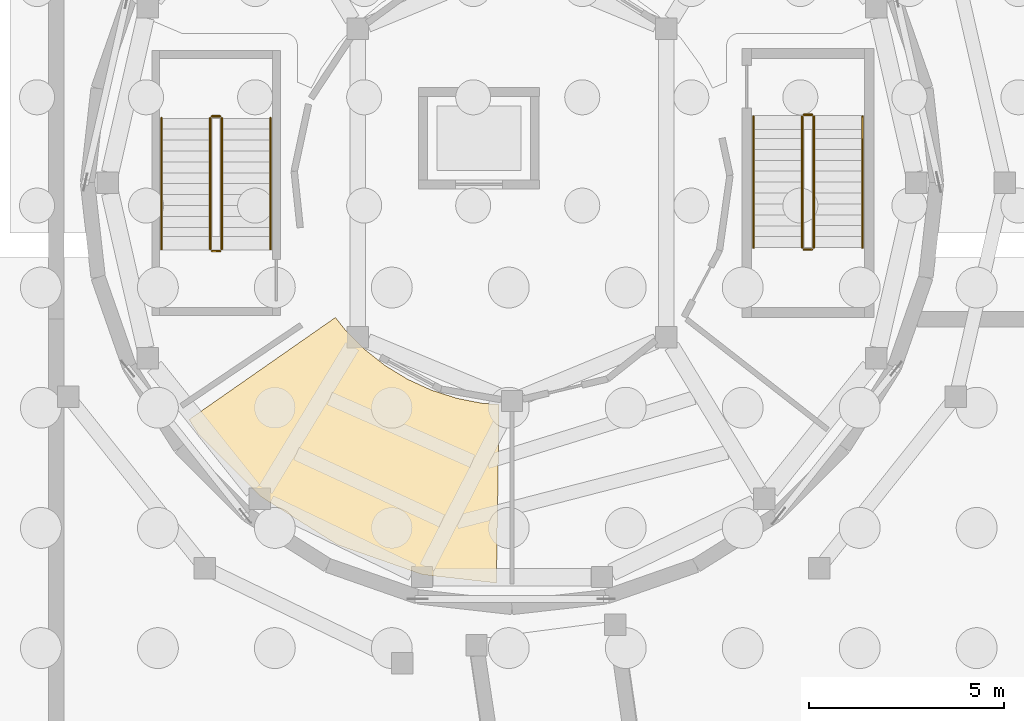
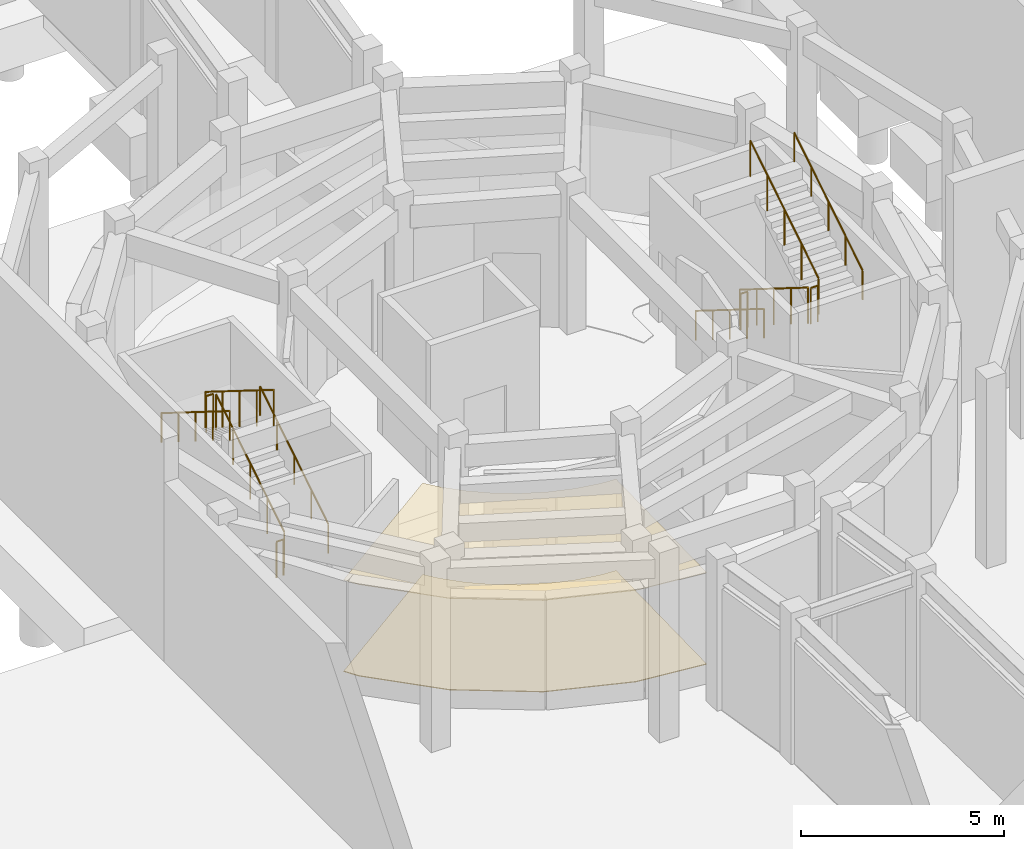
# One storey, part 51 of 57: 12 railings, 2 coverings.
"""IFC4 building model written with IfcOpenShell, lengths in metres."""

from ifc_helpers import new_model, si_unit, direction, frame, origin, origin_2d, place, context, subcontext, project, spatial, polyline, circle, outline, extrude, material, layer, layer_set, type_object, element, save


model = new_model("IFC4")

# Units and contexts
model_context = context("Model", 3, precision=1e-05, world=origin(), true_north=direction((0.0, 1.0)))
body_context = subcontext(model_context, "Body", "Model", "MODEL_VIEW")
ifc_project = project(units=[si_unit("LENGTHUNIT", "METRE"), si_unit("AREAUNIT", "SQUARE_METRE"), si_unit("VOLUMEUNIT", "CUBIC_METRE"), si_unit("PLANEANGLEUNIT", "RADIAN"), si_unit("MASSUNIT", "GRAM", prefix="KILO")], contexts=[model_context])

# Site, building, storey
site_placement = place(None, origin())
site = spatial("IfcSite", under=ifc_project, at=site_placement, CompositionType="ELEMENT")
building_placement = place(site_placement, origin())
building = spatial("IfcBuilding", under=site, at=building_placement, Name="Aldenvaro Health Centre", CompositionType="ELEMENT")
storey_placement = place(building_placement, frame((0.0, 0.0, -4.550048828125)))
storey = spatial("IfcBuildingStorey", under=building, at=storey_placement, Name="B1", CompositionType="ELEMENT", Elevation=-4.550048828125)

# Coverings
ifc_material_1 = material(Name="Antimicrobial Mineral Fibre Ceiling")
ifc_layer_1 = layer(ifc_material_1, 0.01806640625, Name="Antimicrobial Mineral Fibre Ceiling")
ifc_layer_set_1 = layer_set([ifc_layer_1], Name="Antimicrobial Mineral Fibre Ceiling")
covering_type_1 = type_object("IfcCoveringType", Name="COV-CLG-ACT18", PredefinedType="CEILING", material=ifc_layer_set_1)
covering_1_placement = place(storey_placement, frame((0.0, 0.0, 2.75)))
element("IfcCovering", 1, at=covering_1_placement, inside=storey, type_object=covering_type_1, Name="D3-B1-R04 Suspended Ceiling", PredefinedType="CEILING", context=body_context, shape_type="SweptSolid", body=[
    extrude(outline(polyline([(19.22607421875, 53.714111328125), (19.2451171875, 53.693115234375), (19.701904296875, 53.236083984375), (19.72412109375, 53.218017578125), (20.23193359375, 52.818115234375), (20.2548828125, 52.802001953125), (20.806884765625, 52.465087890625), (20.83203125, 52.451904296875), (21.419921875, 52.18310546875), (21.446044921875, 52.173095703125), (22.06201171875, 51.97509765625), (22.089111328125, 51.967041015625), (22.722900390625, 51.843017578125), (22.751953125, 51.840087890625), (23.1708984375, 51.80810546875), (23.09912109375, 47.22705078125), (21.2041015625, 47.44091796875), (19.02294921875, 48.2041015625), (17.06689453125, 49.43310546875), (15.43310546875, 51.06689453125), (15.208984375, 51.423095703125), (18.966064453125, 54.0439453125), (19.22607421875, 53.714111328125)])), origin(), (0.0, 0.0, 1.0), 0.01806640625),
])
ifc_material_2 = material(Name="Polished Epoxy Terrazzo Flooring")
ifc_layer_2 = layer(ifc_material_2, 0.02197265625, Name="Polished Epoxy Terrazzo Flooring")
ifc_layer_set_2 = layer_set([ifc_layer_2], Name="Polished Epoxy Terrazzo Flooring")
covering_type_2 = type_object("IfcCoveringType", Name="COV-FLR-TER22", PredefinedType="FLOORING", material=ifc_layer_set_2)
covering_2_placement = place(storey_placement, origin())
element("IfcCovering", 2, at=covering_2_placement, inside=storey, type_object=covering_type_2, Name="D3-B1-R04 Flooring", PredefinedType="FLOORING", context=body_context, shape_type="SweptSolid", body=[
    extrude(outline(polyline([(19.22607421875, 53.714111328125), (19.2451171875, 53.693115234375), (19.701904296875, 53.236083984375), (19.72412109375, 53.218017578125), (20.23193359375, 52.818115234375), (20.2548828125, 52.802001953125), (20.806884765625, 52.465087890625), (20.83203125, 52.451904296875), (21.419921875, 52.18310546875), (21.446044921875, 52.173095703125), (22.06201171875, 51.97509765625), (22.089111328125, 51.967041015625), (22.722900390625, 51.843017578125), (22.751953125, 51.840087890625), (23.1708984375, 51.80810546875), (23.09912109375, 47.22705078125), (21.2041015625, 47.44091796875), (19.02294921875, 48.2041015625), (17.06689453125, 49.43310546875), (15.43310546875, 51.06689453125), (15.208984375, 51.423095703125), (18.966064453125, 54.0439453125), (19.22607421875, 53.714111328125)])), origin(), (0.0, 0.0, 1.0), 0.02197265625),
])

# Railings
ifc_material_3 = material(Name="Painted Architectural Steel", Category="steel")
railing_type_1 = type_object("IfcRailingType", Name="RL-BAL-INT", PredefinedType="BALUSTRADE", material=ifc_material_3)
railing_1_placement = place(storey_placement, frame((30.949951171875, 59.199951171875, 0.175048828125)))
element("IfcRailing", 3, at=railing_1_placement, inside=storey, type_object=railing_type_1, Name="B1 ST-05 stair guard 1", PredefinedType="BALUSTRADE", context=body_context, shape_type="SweptSolid", body=[
    extrude(circle(Radius=0.02392578125, at=origin_2d()), frame((0.0, 0.0, 1.076171875), z_axis=(0.0, -0.847977533471, 0.530032171408), x_axis=(1.0, 0.0, 0.0)), (0.0, 0.0, 1.0), 3.962158203125),
    extrude(circle(Radius=0.02099609375, at=origin_2d()), origin(), (0.0, 0.0, 1.0), 1.052001953125),
    extrude(circle(Radius=0.02099609375, at=origin_2d()), frame((0.0, -0.83984375, 0.52490234375)), (0.0, 0.0, 1.0), 1.052001953125),
    extrude(circle(Radius=0.02099609375, at=origin_2d()), frame((0.0, -1.679931640625, 1.050048828125)), (0.0, 0.0, 1.0), 1.052001953125),
    extrude(circle(Radius=0.02099609375, at=origin_2d()), frame((0.0, -2.52001953125, 1.5751953125)), (0.0, 0.0, 1.0), 1.052001953125),
    extrude(circle(Radius=0.02099609375, at=origin_2d()), frame((0.0, -3.35986328125, 2.10009765625)), (0.0, 0.0, 1.0), 1.052001953125),
])
railing_2_placement = place(storey_placement, frame((31.0, 55.7900390625, 2.275146484375)))
element("IfcRailing", 4, at=railing_2_placement, inside=storey, type_object=railing_type_1, Name="B1 ST-05 stair guard 2", PredefinedType="BALUSTRADE", context=body_context, shape_type="SweptSolid", body=[
    extrude(circle(Radius=0.02392578125, at=origin_2d()), frame((0.0, 0.0, 1.076171875), z_axis=(1.0, 0.0, 0.0), x_axis=(0.0, 1.0, 0.0)), (0.0, 0.0, 1.0), 0.199951171875),
    extrude(circle(Radius=0.02099609375, at=origin_2d()), origin(), (0.0, 0.0, 1.0), 1.052001953125),
    extrude(circle(Radius=0.02099609375, at=origin_2d()), frame((0.199951171875, 0.0, 0.0)), (0.0, 0.0, 1.0), 1.052001953125),
])
railing_3_placement = place(storey_placement, frame((31.25, 55.840087890625, 2.449951171875)))
element("IfcRailing", 5, at=railing_3_placement, inside=storey, type_object=railing_type_1, Name="B1 ST-05 stair guard 3", PredefinedType="BALUSTRADE", context=body_context, shape_type="SweptSolid", body=[
    extrude(circle(Radius=0.02392578125, at=origin_2d()), frame((0.0, 0.0, 1.076171875), z_axis=(0.0, 0.847977533471, 0.530032171408), x_axis=(-1.0, 0.0, 0.0)), (0.0, 0.0, 1.0), 3.962158203125),
    extrude(circle(Radius=0.02099609375, at=origin_2d()), origin(), (0.0, 0.0, 1.0), 1.052001953125),
    extrude(circle(Radius=0.02099609375, at=origin_2d()), frame((0.0, 0.83984375, 0.52490234375)), (0.0, 0.0, 1.0), 1.052001953125),
    extrude(circle(Radius=0.02099609375, at=origin_2d()), frame((0.0, 1.679931640625, 1.050048828125)), (0.0, 0.0, 1.0), 1.052001953125),
    extrude(circle(Radius=0.02099609375, at=origin_2d()), frame((0.0, 2.52001953125, 1.5751953125)), (0.0, 0.0, 1.0), 1.052001953125),
    extrude(circle(Radius=0.02099609375, at=origin_2d()), frame((0.0, 3.35986328125, 2.10009765625)), (0.0, 0.0, 1.0), 1.052001953125),
])
railing_4_placement = place(storey_placement, frame((31.0, 59.25, 0.0)))
element("IfcRailing", 6, at=railing_4_placement, inside=storey, type_object=railing_type_1, Name="B1 ST-05 stair guard 4", PredefinedType="BALUSTRADE", context=body_context, shape_type="SweptSolid", body=[
    extrude(circle(Radius=0.02392578125, at=origin_2d()), frame((0.0, 0.0, 1.076171875), z_axis=(1.0, 0.0, 0.0), x_axis=(0.0, 1.0, 0.0)), (0.0, 0.0, 1.0), 0.199951171875),
    extrude(circle(Radius=0.02099609375, at=origin_2d()), origin(), (0.0, 0.0, 1.0), 1.052001953125),
    extrude(circle(Radius=0.02099609375, at=origin_2d()), frame((0.199951171875, 0.0, 0.0)), (0.0, 0.0, 1.0), 1.052001953125),
])
railing_5_placement = place(storey_placement, frame((16.050048828125, 55.800048828125, 0.175048828125)))
element("IfcRailing", 7, at=railing_5_placement, inside=storey, type_object=railing_type_1, Name="B1 ST-06 stair guard 1", PredefinedType="BALUSTRADE", context=body_context, shape_type="SweptSolid", body=[
    extrude(circle(Radius=0.02392578125, at=origin_2d()), frame((0.0, 0.0, 1.076171875), z_axis=(0.0, 0.847977533471, 0.530032171408), x_axis=(-1.0, 0.0, 0.0)), (0.0, 0.0, 1.0), 3.962158203125),
    extrude(circle(Radius=0.02099609375, at=origin_2d()), origin(), (0.0, 0.0, 1.0), 1.052001953125),
    extrude(circle(Radius=0.02099609375, at=origin_2d()), frame((0.0, 0.83984375, 0.52490234375)), (0.0, 0.0, 1.0), 1.052001953125),
    extrude(circle(Radius=0.02099609375, at=origin_2d()), frame((0.0, 1.679931640625, 1.050048828125)), (0.0, 0.0, 1.0), 1.052001953125),
    extrude(circle(Radius=0.02099609375, at=origin_2d()), frame((0.0, 2.52001953125, 1.5751953125)), (0.0, 0.0, 1.0), 1.052001953125),
    extrude(circle(Radius=0.02099609375, at=origin_2d()), frame((0.0, 3.35986328125, 2.10009765625)), (0.0, 0.0, 1.0), 1.052001953125),
])
railing_6_placement = place(storey_placement, frame((16.0, 59.2099609375, 2.275146484375)))
element("IfcRailing", 8, at=railing_6_placement, inside=storey, type_object=railing_type_1, Name="B1 ST-06 stair guard 2", PredefinedType="BALUSTRADE", context=body_context, shape_type="SweptSolid", body=[
    extrude(circle(Radius=0.02392578125, at=origin_2d()), frame((0.0, 0.0, 1.076171875), z_axis=(-1.0, 0.0, 0.0), x_axis=(0.0, -1.0, 0.0)), (0.0, 0.0, 1.0), 0.199951171875),
    extrude(circle(Radius=0.02099609375, at=origin_2d()), origin(), (0.0, 0.0, 1.0), 1.052001953125),
    extrude(circle(Radius=0.02099609375, at=origin_2d()), frame((-0.199951171875, 0.0, 0.0)), (0.0, 0.0, 1.0), 1.052001953125),
])
railing_7_placement = place(storey_placement, frame((15.75, 59.159912109375, 2.449951171875)))
element("IfcRailing", 9, at=railing_7_placement, inside=storey, type_object=railing_type_1, Name="B1 ST-06 stair guard 3", PredefinedType="BALUSTRADE", context=body_context, shape_type="SweptSolid", body=[
    extrude(circle(Radius=0.02392578125, at=origin_2d()), frame((0.0, 0.0, 1.076171875), z_axis=(0.0, -0.847977533471, 0.530032171408), x_axis=(1.0, 0.0, 0.0)), (0.0, 0.0, 1.0), 3.962158203125),
    extrude(circle(Radius=0.02099609375, at=origin_2d()), origin(), (0.0, 0.0, 1.0), 1.052001953125),
    extrude(circle(Radius=0.02099609375, at=origin_2d()), frame((0.0, -0.83984375, 0.52490234375)), (0.0, 0.0, 1.0), 1.052001953125),
    extrude(circle(Radius=0.02099609375, at=origin_2d()), frame((0.0, -1.679931640625, 1.050048828125)), (0.0, 0.0, 1.0), 1.052001953125),
    extrude(circle(Radius=0.02099609375, at=origin_2d()), frame((0.0, -2.52001953125, 1.5751953125)), (0.0, 0.0, 1.0), 1.052001953125),
    extrude(circle(Radius=0.02099609375, at=origin_2d()), frame((0.0, -3.35986328125, 2.10009765625)), (0.0, 0.0, 1.0), 1.052001953125),
])
railing_8_placement = place(storey_placement, frame((16.0, 55.75, 0.0)))
element("IfcRailing", 10, at=railing_8_placement, inside=storey, type_object=railing_type_1, Name="B1 ST-06 stair guard 4", PredefinedType="BALUSTRADE", context=body_context, shape_type="SweptSolid", body=[
    extrude(circle(Radius=0.02392578125, at=origin_2d()), frame((0.0, 0.0, 1.076171875), z_axis=(-1.0, 0.0, 0.0), x_axis=(0.0, -1.0, 0.0)), (0.0, 0.0, 1.0), 0.199951171875),
    extrude(circle(Radius=0.02099609375, at=origin_2d()), origin(), (0.0, 0.0, 1.0), 1.052001953125),
    extrude(circle(Radius=0.02099609375, at=origin_2d()), frame((-0.199951171875, 0.0, 0.0)), (0.0, 0.0, 1.0), 1.052001953125),
])
railing_type_2 = type_object("IfcRailingType", Name="RL-HND-INT", PredefinedType="HANDRAIL", material=ifc_material_3)
railing_9_placement = place(storey_placement, frame((29.699951171875, 59.199951171875, 0.175048828125)))
element("IfcRailing", 11, at=railing_9_placement, inside=storey, type_object=railing_type_2, Name="B1 ST-05 stair handrail 1", PredefinedType="HANDRAIL", context=body_context, shape_type="SweptSolid", body=[
    extrude(circle(Radius=0.02392578125, at=origin_2d()), frame((0.0, 0.0, 0.8759765625), z_axis=(0.0, -0.847977533471, 0.530032171408), x_axis=(1.0, 0.0, 0.0)), (0.0, 0.0, 1.0), 3.962158203125),
    extrude(circle(Radius=0.02099609375, at=origin_2d()), origin(), (0.0, 0.0, 1.0), 0.851806640625),
    extrude(circle(Radius=0.02099609375, at=origin_2d()), frame((0.0, -0.83984375, 0.52490234375)), (0.0, 0.0, 1.0), 0.851806640625),
    extrude(circle(Radius=0.02099609375, at=origin_2d()), frame((0.0, -1.679931640625, 1.050048828125)), (0.0, 0.0, 1.0), 0.851806640625),
    extrude(circle(Radius=0.02099609375, at=origin_2d()), frame((0.0, -2.52001953125, 1.5751953125)), (0.0, 0.0, 1.0), 0.851806640625),
    extrude(circle(Radius=0.02099609375, at=origin_2d()), frame((0.0, -3.35986328125, 2.10009765625)), (0.0, 0.0, 1.0), 0.851806640625),
])
for number, where, name in (
    (12, (32.5, 55.840087890625, 2.449951171875), "B1 ST-05 stair handrail 2"),
    (13, (17.300048828125, 55.800048828125, 0.175048828125), "B1 ST-06 stair handrail 1"),
):
    element("IfcRailing", number, at=place(storey_placement, frame(where)), inside=storey, type_object=railing_type_2, Name=name, PredefinedType="HANDRAIL", context=body_context, shape_type="SweptSolid", body=[
        extrude(circle(Radius=0.02392578125, at=origin_2d()), frame((0.0, 0.0, 0.8759765625), z_axis=(0.0, 0.847977533471, 0.530032171408), x_axis=(-1.0, 0.0, 0.0)), (0.0, 0.0, 1.0), 3.962158203125),
        extrude(circle(Radius=0.02099609375, at=origin_2d()), origin(), (0.0, 0.0, 1.0), 0.851806640625),
        extrude(circle(Radius=0.02099609375, at=origin_2d()), frame((0.0, 0.83984375, 0.52490234375)), (0.0, 0.0, 1.0), 0.851806640625),
        extrude(circle(Radius=0.02099609375, at=origin_2d()), frame((0.0, 1.679931640625, 1.050048828125)), (0.0, 0.0, 1.0), 0.851806640625),
        extrude(circle(Radius=0.02099609375, at=origin_2d()), frame((0.0, 2.52001953125, 1.5751953125)), (0.0, 0.0, 1.0), 0.851806640625),
        extrude(circle(Radius=0.02099609375, at=origin_2d()), frame((0.0, 3.35986328125, 2.10009765625)), (0.0, 0.0, 1.0), 0.851806640625),
    ])
railing_10_placement = place(storey_placement, frame((14.5, 59.159912109375, 2.449951171875)))
element("IfcRailing", 14, at=railing_10_placement, inside=storey, type_object=railing_type_2, Name="B1 ST-06 stair handrail 2", PredefinedType="HANDRAIL", context=body_context, shape_type="SweptSolid", body=[
    extrude(circle(Radius=0.02392578125, at=origin_2d()), frame((0.0, 0.0, 0.8759765625), z_axis=(0.0, -0.847977533471, 0.530032171408), x_axis=(1.0, 0.0, 0.0)), (0.0, 0.0, 1.0), 3.962158203125),
    extrude(circle(Radius=0.02099609375, at=origin_2d()), origin(), (0.0, 0.0, 1.0), 0.851806640625),
    extrude(circle(Radius=0.02099609375, at=origin_2d()), frame((0.0, -0.83984375, 0.52490234375)), (0.0, 0.0, 1.0), 0.851806640625),
    extrude(circle(Radius=0.02099609375, at=origin_2d()), frame((0.0, -1.679931640625, 1.050048828125)), (0.0, 0.0, 1.0), 0.851806640625),
    extrude(circle(Radius=0.02099609375, at=origin_2d()), frame((0.0, -2.52001953125, 1.5751953125)), (0.0, 0.0, 1.0), 0.851806640625),
    extrude(circle(Radius=0.02099609375, at=origin_2d()), frame((0.0, -3.35986328125, 2.10009765625)), (0.0, 0.0, 1.0), 0.851806640625),
])

save(model, "model.ifc")
